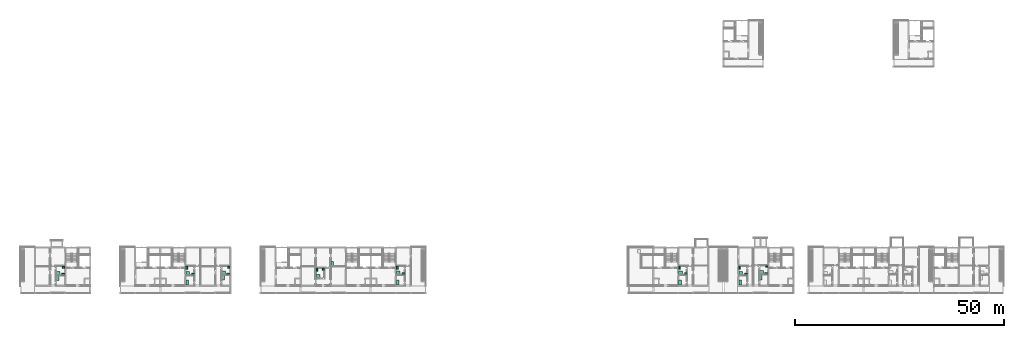
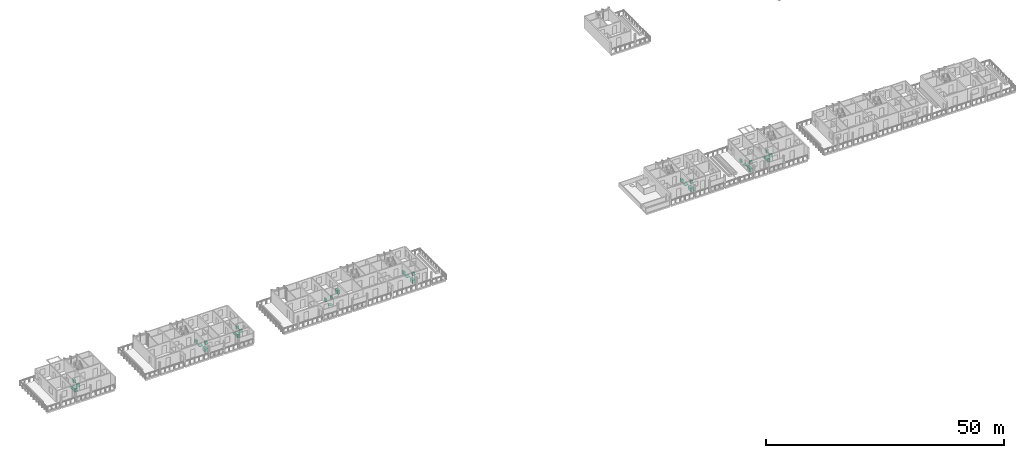
# One storey, part 54 of 55: 32 sanitary terminals.
"""IFC4 building model written with IfcOpenShell, lengths in metres."""

from ifc_helpers import new_model, si_unit, direction, frame, origin, origin_2d, place, context, subcontext, project, spatial, rectangle, extrude, element, save


model = new_model("IFC4")

# Units and contexts
model_context = context("Model", 3, precision=1e-05, world=origin(), true_north=direction((0.0, 1.0)))
body_context = subcontext(model_context, "Body", "Model", "MODEL_VIEW")
ifc_project = project(units=[si_unit("LENGTHUNIT", "METRE"), si_unit("AREAUNIT", "SQUARE_METRE"), si_unit("VOLUMEUNIT", "CUBIC_METRE"), si_unit("PLANEANGLEUNIT", "RADIAN"), si_unit("MASSUNIT", "GRAM", prefix="KILO")], contexts=[model_context])

# Site, building, storey
site_placement = place(None, origin())
site = spatial("IfcSite", under=ifc_project, at=site_placement, CompositionType="ELEMENT")
building_placement = place(site_placement, origin())
building = spatial("IfcBuilding", under=site, at=building_placement, Name="Ridgestep Commons", CompositionType="ELEMENT")
storey_placement = place(building_placement, frame((0.0, 0.0, 36.0)))
storey = spatial("IfcBuildingStorey", under=building, at=storey_placement, Name="L12", CompositionType="ELEMENT", Elevation=36.0)

# Sanitary terminals
sanitary_terminal_1_placement = place(storey_placement, frame((21.159912109375, 16.610107421875, 0.0), z_axis=(0.0, 0.0, 1.0), x_axis=(1.0, 0.0, 0.0)))
element("IfcSanitaryTerminal", 1, at=sanitary_terminal_1_placement, inside=storey, Name="Shower tray A1-12a", PredefinedType="SHOWER", context=body_context, shape_type="SweptSolid", body=[
    extrude(rectangle(XDim=0.89990234375, YDim=0.89990234375, at=origin_2d()), origin(), (0.0, 0.0, 1.0), 0.10009765625),
])
sanitary_terminal_2_placement = place(storey_placement, frame((22.324951171875, 16.360107421875, 0.0), z_axis=(0.0, 0.0, 1.0), x_axis=(1.0, 0.0, 0.0)))
element("IfcSanitaryTerminal", 2, at=sanitary_terminal_2_placement, inside=storey, Name="WC A1-12a", PredefinedType="TOILETPAN", context=body_context, shape_type="SweptSolid", body=[
    extrude(rectangle(XDim=0.699951171875, YDim=0.39990234375, at=origin_2d()), origin(), (0.0, 0.0, 1.0), 0.800048828125),
])
sanitary_terminal_3_placement = place(storey_placement, frame((22.39990234375, 18.02490234375, 0.0), z_axis=(0.0, 0.0, 1.0), x_axis=(1.0, 0.0, 0.0)))
element("IfcSanitaryTerminal", 3, at=sanitary_terminal_3_placement, inside=storey, Name="Basin A1-12a", PredefinedType="WASHHANDBASIN", context=body_context, shape_type="SweptSolid", body=[
    extrude(rectangle(XDim=0.550048828125, YDim=0.449951171875, at=origin_2d()), origin(), (0.0, 0.0, 1.0), 0.85009765625),
])
sanitary_terminal_4_placement = place(storey_placement, frame((21.010009765625, 15.449951171875, 0.0), z_axis=(0.0, 0.0, 1.0), x_axis=(1.0, 0.0, 0.0)))
element("IfcSanitaryTerminal", 4, at=sanitary_terminal_4_placement, inside=storey, Name="Kitchen sink A1-12a", PredefinedType="SINK", context=body_context, shape_type="SweptSolid", body=[
    extrude(rectangle(XDim=0.60009765625, YDim=1.199951171875, at=origin_2d()), origin(), (0.0, 0.0, 1.0), 0.89990234375),
])
sanitary_terminal_5_placement = place(storey_placement, frame((60.760009765625, 16.7099609375, 0.0), z_axis=(0.0, 0.0, 1.0), x_axis=(1.0, 0.0, 0.0)))
element("IfcSanitaryTerminal", 5, at=sanitary_terminal_5_placement, inside=storey, Name="Shower tray A3-12a", PredefinedType="SHOWER", context=body_context, shape_type="SweptSolid", body=[
    extrude(rectangle(XDim=0.89990234375, YDim=0.89990234375, at=origin_2d()), origin(), (0.0, 0.0, 1.0), 0.10009765625),
])
sanitary_terminal_6_placement = place(storey_placement, frame((61.89990234375, 16.4599609375, 0.0), z_axis=(0.0, 0.0, 1.0), x_axis=(1.0, 0.0, 0.0)))
element("IfcSanitaryTerminal", 6, at=sanitary_terminal_6_placement, inside=storey, Name="WC A3-12a", PredefinedType="TOILETPAN", context=body_context, shape_type="SweptSolid", body=[
    extrude(rectangle(XDim=0.699951171875, YDim=0.39990234375, at=origin_2d()), origin(), (0.0, 0.0, 1.0), 0.800048828125),
])
sanitary_terminal_7_placement = place(storey_placement, frame((61.97509765625, 18.02490234375, 0.0), z_axis=(0.0, 0.0, 1.0), x_axis=(1.0, 0.0, 0.0)))
element("IfcSanitaryTerminal", 7, at=sanitary_terminal_7_placement, inside=storey, Name="Basin A3-12a", PredefinedType="WASHHANDBASIN", context=body_context, shape_type="SweptSolid", body=[
    extrude(rectangle(XDim=0.550048828125, YDim=0.449951171875, at=origin_2d()), origin(), (0.0, 0.0, 1.0), 0.85009765625),
])
sanitary_terminal_8_placement = place(storey_placement, frame((60.610107421875, 15.550048828125, 0.0), z_axis=(0.0, 0.0, 1.0), x_axis=(1.0, 0.0, 0.0)))
element("IfcSanitaryTerminal", 8, at=sanitary_terminal_8_placement, inside=storey, Name="Kitchen sink A3-12a", PredefinedType="SINK", context=body_context, shape_type="SweptSolid", body=[
    extrude(rectangle(XDim=0.60009765625, YDim=1.199951171875, at=origin_2d()), origin(), (0.0, 0.0, 1.0), 0.89990234375),
])
sanitary_terminal_9_placement = place(storey_placement, frame((52.175048828125, 16.610107421875, 0.0), z_axis=(0.0, 0.0, 1.0), x_axis=(1.0, 0.0, 0.0)))
element("IfcSanitaryTerminal", 9, at=sanitary_terminal_9_placement, inside=storey, Name="Shower tray A3-12b", PredefinedType="SHOWER", context=body_context, shape_type="SweptSolid", body=[
    extrude(rectangle(XDim=0.89990234375, YDim=0.89990234375, at=origin_2d()), origin(), (0.0, 0.0, 1.0), 0.10009765625),
])
sanitary_terminal_10_placement = place(storey_placement, frame((51.925048828125, 17.89990234375, 0.0), z_axis=(0.0, 0.0, 1.0), x_axis=(1.0, 0.0, 0.0)))
element("IfcSanitaryTerminal", 10, at=sanitary_terminal_10_placement, inside=storey, Name="WC A3-12b", PredefinedType="TOILETPAN", context=body_context, shape_type="SweptSolid", body=[
    extrude(rectangle(XDim=0.39990234375, YDim=0.699951171875, at=origin_2d()), origin(), (0.0, 0.0, 1.0), 0.800048828125),
])
sanitary_terminal_11_placement = place(storey_placement, frame((53.4150390625, 16.385009765625, 0.0), z_axis=(0.0, 0.0, 1.0), x_axis=(1.0, 0.0, 0.0)))
element("IfcSanitaryTerminal", 11, at=sanitary_terminal_11_placement, inside=storey, Name="Basin A3-12b", PredefinedType="WASHHANDBASIN", context=body_context, shape_type="SweptSolid", body=[
    extrude(rectangle(XDim=0.550048828125, YDim=0.449951171875, at=origin_2d()), origin(), (0.0, 0.0, 1.0), 0.85009765625),
])
sanitary_terminal_12_placement = place(storey_placement, frame((52.02490234375, 14.35009765625, 0.0), z_axis=(0.0, 0.0, 1.0), x_axis=(1.0, 0.0, 0.0)))
element("IfcSanitaryTerminal", 12, at=sanitary_terminal_12_placement, inside=storey, Name="Kitchen sink A3-12b", PredefinedType="SINK", context=body_context, shape_type="SweptSolid", body=[
    extrude(rectangle(XDim=0.60009765625, YDim=1.199951171875, at=origin_2d()), origin(), (0.0, 0.0, 1.0), 0.89990234375),
])
sanitary_terminal_13_placement = place(storey_placement, frame((83.35009765625, 15.860107421875, 0.0), z_axis=(0.0, 0.0, 1.0), x_axis=(1.0, 0.0, 0.0)))
element("IfcSanitaryTerminal", 13, at=sanitary_terminal_13_placement, inside=storey, Name="Shower tray A5-12a", PredefinedType="SHOWER", context=body_context, shape_type="SweptSolid", body=[
    extrude(rectangle(XDim=0.89990234375, YDim=0.89990234375, at=origin_2d()), origin(), (0.0, 0.0, 1.0), 0.10009765625),
])
sanitary_terminal_14_placement = place(storey_placement, frame((83.10009765625, 17.4599609375, 0.0), z_axis=(0.0, 0.0, 1.0), x_axis=(1.0, 0.0, 0.0)))
element("IfcSanitaryTerminal", 14, at=sanitary_terminal_14_placement, inside=storey, Name="WC A5-12a", PredefinedType="TOILETPAN", context=body_context, shape_type="SweptSolid", body=[
    extrude(rectangle(XDim=0.39990234375, YDim=0.699951171875, at=origin_2d()), origin(), (0.0, 0.0, 1.0), 0.800048828125),
])
sanitary_terminal_15_placement = place(storey_placement, frame((84.614990234375, 17.5849609375, 0.0), z_axis=(0.0, 0.0, 1.0), x_axis=(1.0, 0.0, 0.0)))
element("IfcSanitaryTerminal", 15, at=sanitary_terminal_15_placement, inside=storey, Name="Basin A5-12a", PredefinedType="WASHHANDBASIN", context=body_context, shape_type="SweptSolid", body=[
    extrude(rectangle(XDim=0.550048828125, YDim=0.449951171875, at=origin_2d()), origin(), (0.0, 0.0, 1.0), 0.85009765625),
])
sanitary_terminal_16_placement = place(storey_placement, frame((86.800048828125, 18.860107421875, 0.0), z_axis=(0.0, 0.0, 1.0), x_axis=(1.0, 0.0, 0.0)))
element("IfcSanitaryTerminal", 16, at=sanitary_terminal_16_placement, inside=storey, Name="Kitchen sink A5-12a", PredefinedType="SINK", context=body_context, shape_type="SweptSolid", body=[
    extrude(rectangle(XDim=0.60009765625, YDim=1.199951171875, at=origin_2d()), origin(), (0.0, 0.0, 1.0), 0.89990234375),
])
sanitary_terminal_17_placement = place(storey_placement, frame((102.574951171875, 16.7099609375, 0.0), z_axis=(0.0, 0.0, 1.0), x_axis=(1.0, 0.0, 0.0)))
element("IfcSanitaryTerminal", 17, at=sanitary_terminal_17_placement, inside=storey, Name="Shower tray A6-12a", PredefinedType="SHOWER", context=body_context, shape_type="SweptSolid", body=[
    extrude(rectangle(XDim=0.89990234375, YDim=0.89990234375, at=origin_2d()), origin(), (0.0, 0.0, 1.0), 0.10009765625),
])
sanitary_terminal_18_placement = place(storey_placement, frame((102.324951171875, 17.89990234375, 0.0), z_axis=(0.0, 0.0, 1.0), x_axis=(1.0, 0.0, 0.0)))
element("IfcSanitaryTerminal", 18, at=sanitary_terminal_18_placement, inside=storey, Name="WC A6-12a", PredefinedType="TOILETPAN", context=body_context, shape_type="SweptSolid", body=[
    extrude(rectangle(XDim=0.39990234375, YDim=0.699951171875, at=origin_2d()), origin(), (0.0, 0.0, 1.0), 0.800048828125),
])
sanitary_terminal_19_placement = place(storey_placement, frame((103.81494140625, 16.485107421875, 0.0), z_axis=(0.0, 0.0, 1.0), x_axis=(1.0, 0.0, 0.0)))
element("IfcSanitaryTerminal", 19, at=sanitary_terminal_19_placement, inside=storey, Name="Basin A6-12a", PredefinedType="WASHHANDBASIN", context=body_context, shape_type="SweptSolid", body=[
    extrude(rectangle(XDim=0.550048828125, YDim=0.449951171875, at=origin_2d()), origin(), (0.0, 0.0, 1.0), 0.85009765625),
])
sanitary_terminal_20_placement = place(storey_placement, frame((102.425048828125, 14.35009765625, 0.0), z_axis=(0.0, 0.0, 1.0), x_axis=(1.0, 0.0, 0.0)))
element("IfcSanitaryTerminal", 20, at=sanitary_terminal_20_placement, inside=storey, Name="Kitchen sink A6-12a", PredefinedType="SINK", context=body_context, shape_type="SweptSolid", body=[
    extrude(rectangle(XDim=0.60009765625, YDim=1.199951171875, at=origin_2d()), origin(), (0.0, 0.0, 1.0), 0.89990234375),
])
sanitary_terminal_21_placement = place(storey_placement, frame((170.175048828125, 16.7099609375, 0.0), z_axis=(0.0, 0.0, 1.0), x_axis=(1.0, 0.0, 0.0)))
element("IfcSanitaryTerminal", 21, at=sanitary_terminal_21_placement, inside=storey, Name="Shower tray D2-12a", PredefinedType="SHOWER", context=body_context, shape_type="SweptSolid", body=[
    extrude(rectangle(XDim=0.89990234375, YDim=0.89990234375, at=origin_2d()), origin(), (0.0, 0.0, 1.0), 0.10009765625),
])
sanitary_terminal_22_placement = place(storey_placement, frame((169.925048828125, 17.89990234375, 0.0), z_axis=(0.0, 0.0, 1.0), x_axis=(1.0, 0.0, 0.0)))
element("IfcSanitaryTerminal", 22, at=sanitary_terminal_22_placement, inside=storey, Name="WC D2-12a", PredefinedType="TOILETPAN", context=body_context, shape_type="SweptSolid", body=[
    extrude(rectangle(XDim=0.39990234375, YDim=0.699951171875, at=origin_2d()), origin(), (0.0, 0.0, 1.0), 0.800048828125),
])
sanitary_terminal_23_placement = place(storey_placement, frame((171.4150390625, 16.485107421875, 0.0), z_axis=(0.0, 0.0, 1.0), x_axis=(1.0, 0.0, 0.0)))
element("IfcSanitaryTerminal", 23, at=sanitary_terminal_23_placement, inside=storey, Name="Basin D2-12a", PredefinedType="WASHHANDBASIN", context=body_context, shape_type="SweptSolid", body=[
    extrude(rectangle(XDim=0.550048828125, YDim=0.449951171875, at=origin_2d()), origin(), (0.0, 0.0, 1.0), 0.85009765625),
])
sanitary_terminal_24_placement = place(storey_placement, frame((170.02490234375, 14.35009765625, 0.0), z_axis=(0.0, 0.0, 1.0), x_axis=(1.0, 0.0, 0.0)))
element("IfcSanitaryTerminal", 24, at=sanitary_terminal_24_placement, inside=storey, Name="Kitchen sink D2-12a", PredefinedType="SINK", context=body_context, shape_type="SweptSolid", body=[
    extrude(rectangle(XDim=0.60009765625, YDim=1.199951171875, at=origin_2d()), origin(), (0.0, 0.0, 1.0), 0.89990234375),
])
sanitary_terminal_25_placement = place(storey_placement, frame((184.550048828125, 16.610107421875, 0.0), z_axis=(0.0, 0.0, 1.0), x_axis=(1.0, 0.0, 0.0)))
element("IfcSanitaryTerminal", 25, at=sanitary_terminal_25_placement, inside=storey, Name="Shower tray D3-12a", PredefinedType="SHOWER", context=body_context, shape_type="SweptSolid", body=[
    extrude(rectangle(XDim=0.89990234375, YDim=0.89990234375, at=origin_2d()), origin(), (0.0, 0.0, 1.0), 0.10009765625),
])
sanitary_terminal_26_placement = place(storey_placement, frame((184.300048828125, 17.89990234375, 0.0), z_axis=(0.0, 0.0, 1.0), x_axis=(1.0, 0.0, 0.0)))
element("IfcSanitaryTerminal", 26, at=sanitary_terminal_26_placement, inside=storey, Name="WC D3-12a", PredefinedType="TOILETPAN", context=body_context, shape_type="SweptSolid", body=[
    extrude(rectangle(XDim=0.39990234375, YDim=0.699951171875, at=origin_2d()), origin(), (0.0, 0.0, 1.0), 0.800048828125),
])
sanitary_terminal_27_placement = place(storey_placement, frame((185.81494140625, 16.385009765625, 0.0), z_axis=(0.0, 0.0, 1.0), x_axis=(1.0, 0.0, 0.0)))
element("IfcSanitaryTerminal", 27, at=sanitary_terminal_27_placement, inside=storey, Name="Basin D3-12a", PredefinedType="WASHHANDBASIN", context=body_context, shape_type="SweptSolid", body=[
    extrude(rectangle(XDim=0.550048828125, YDim=0.449951171875, at=origin_2d()), origin(), (0.0, 0.0, 1.0), 0.85009765625),
])
sanitary_terminal_28_placement = place(storey_placement, frame((184.39990234375, 14.35009765625, 0.0), z_axis=(0.0, 0.0, 1.0), x_axis=(1.0, 0.0, 0.0)))
element("IfcSanitaryTerminal", 28, at=sanitary_terminal_28_placement, inside=storey, Name="Kitchen sink D3-12a", PredefinedType="SINK", context=body_context, shape_type="SweptSolid", body=[
    extrude(rectangle(XDim=0.60009765625, YDim=1.199951171875, at=origin_2d()), origin(), (0.0, 0.0, 1.0), 0.89990234375),
])
sanitary_terminal_29_placement = place(storey_placement, frame((189.56005859375, 16.81005859375, 0.0), z_axis=(0.0, 0.0, 1.0), x_axis=(1.0, 0.0, 0.0)))
element("IfcSanitaryTerminal", 29, at=sanitary_terminal_29_placement, inside=storey, Name="Shower tray D3-12b", PredefinedType="SHOWER", context=body_context, shape_type="SweptSolid", body=[
    extrude(rectangle(XDim=0.89990234375, YDim=0.89990234375, at=origin_2d()), origin(), (0.0, 0.0, 1.0), 0.10009765625),
])
sanitary_terminal_30_placement = place(storey_placement, frame((190.72509765625, 16.56005859375, 0.0), z_axis=(0.0, 0.0, 1.0), x_axis=(1.0, 0.0, 0.0)))
element("IfcSanitaryTerminal", 30, at=sanitary_terminal_30_placement, inside=storey, Name="WC D3-12b", PredefinedType="TOILETPAN", context=body_context, shape_type="SweptSolid", body=[
    extrude(rectangle(XDim=0.699951171875, YDim=0.39990234375, at=origin_2d()), origin(), (0.0, 0.0, 1.0), 0.800048828125),
])
sanitary_terminal_31_placement = place(storey_placement, frame((190.800048828125, 18.22509765625, 0.0), z_axis=(0.0, 0.0, 1.0), x_axis=(1.0, 0.0, 0.0)))
element("IfcSanitaryTerminal", 31, at=sanitary_terminal_31_placement, inside=storey, Name="Basin D3-12b", PredefinedType="WASHHANDBASIN", context=body_context, shape_type="SweptSolid", body=[
    extrude(rectangle(XDim=0.550048828125, YDim=0.449951171875, at=origin_2d()), origin(), (0.0, 0.0, 1.0), 0.85009765625),
])
sanitary_terminal_32_placement = place(storey_placement, frame((189.409912109375, 15.64990234375, 0.0), z_axis=(0.0, 0.0, 1.0), x_axis=(1.0, 0.0, 0.0)))
element("IfcSanitaryTerminal", 32, at=sanitary_terminal_32_placement, inside=storey, Name="Kitchen sink D3-12b", PredefinedType="SINK", context=body_context, shape_type="SweptSolid", body=[
    extrude(rectangle(XDim=0.60009765625, YDim=1.199951171875, at=origin_2d()), origin(), (0.0, 0.0, 1.0), 0.89990234375),
])

save(model, "model.ifc")
